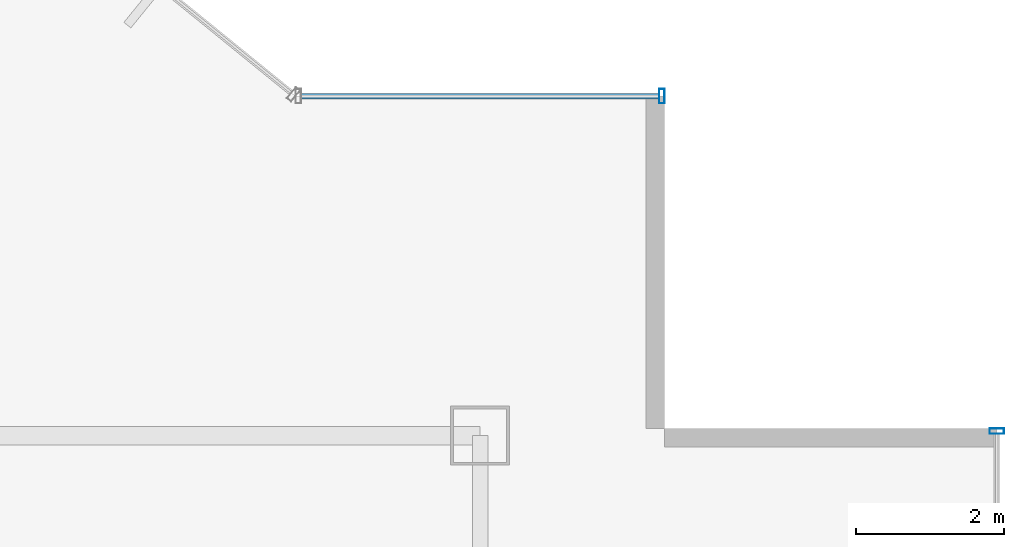
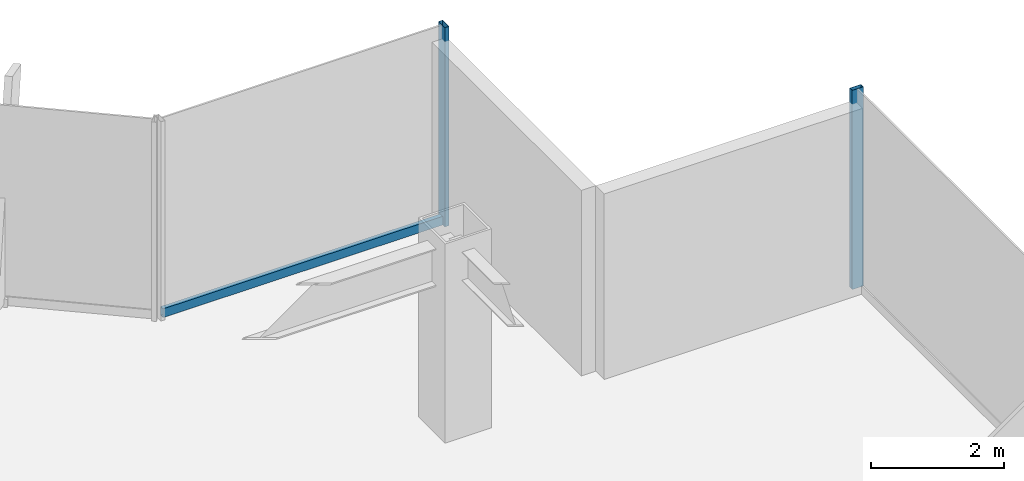
# One storey, part 19 of 26: 3 members, 2 elements without a shape of their own.
"""IFC4 building model written with IfcOpenShell, lengths in metres."""

from ifc_helpers import new_model, si_unit, derived_unit, direction, frame, origin, origin_2d, place, context, subcontext, project, spatial, hollow_rectangle, extrude, source, transform, mapped, material, material_profile, profile_set, type_object, element, aggregate, save


model = new_model("IFC4")

# Units and contexts
model_context = context("Model", 3, precision=1e-05, world=origin(), true_north=direction((0.0, 1.0)))
body_context = subcontext(model_context, "Body", "Model", "MODEL_VIEW")
ifc_project = project(units=[si_unit("LENGTHUNIT", "METRE"), si_unit("AREAUNIT", "SQUARE_METRE"), si_unit("VOLUMEUNIT", "CUBIC_METRE"), si_unit("PLANEANGLEUNIT", "RADIAN"), si_unit("MASSUNIT", "GRAM", prefix="KILO"), derived_unit("THERMALTRANSMITTANCEUNIT", [(si_unit("POWERUNIT", "WATT"), 1), (si_unit("LENGTHUNIT", "METRE"), -2), (si_unit("THERMODYNAMICTEMPERATUREUNIT", "KELVIN"), -1)])], contexts=[model_context])

# Site, building, storey
site_placement = place(None, origin())
site = spatial("IfcSite", under=ifc_project, at=site_placement, CompositionType="ELEMENT")
building_placement = place(site_placement, origin())
building = spatial("IfcBuilding", under=site, at=building_placement, Name="Skarnbrae Concourse Arena and Tower", CompositionType="ELEMENT")
storey_placement = place(building_placement, frame((0.0, 0.0, 128.800048828125)))
storey = spatial("IfcBuildingStorey", under=building, at=storey_placement, Name="L32", CompositionType="ELEMENT", Elevation=128.800048828125)

# Curtain wall, member
ifc_material = material(Name="Bronze anodised aluminium 6063-T6", Category="aluminium")
curtain_wall_type = type_object("IfcCurtainWallType", Name="CW-SYS-04-MIDZONE", PredefinedType="USERDEFINED", material=ifc_material)
curtain_wall_1_placement = place(storey_placement, origin())
curtain_wall_1 = element("IfcCurtainWall", 1, at=curtain_wall_1_placement, inside=storey, type_object=curtain_wall_type, Name="L32 Unitised curtain wall CW-L32-E07", ObjectType="UNITISED CURTAIN WALL", PredefinedType="USERDEFINED")
ifc_material_profile_1 = material_profile(ifc_material, hollow_rectangle(XDim=0.074951171875, YDim=0.159912109375, WallThickness=0.00439453125, at=origin_2d()), Name="ALU-TRAN-75X160")
ifc_profile_set_1 = profile_set([ifc_material_profile_1], Name="Bronze anodised aluminium 6063-T6")
member_type_1 = type_object("IfcMemberType", Name="CWT-CW-04", PredefinedType="USERDEFINED", material=ifc_profile_set_1)
shared_shape_1 = source(origin(), body_context, "Body", "SweptSolid", [
    extrude(hollow_rectangle(XDim=0.074951171875, YDim=0.159912109375, WallThickness=0.00439453125, at=origin_2d()), origin(), (0.0, 0.0, 1.0), 4.85009765625),
])
member_1_placement = place(storey_placement, frame((51.425048828125, 39.0, 0.079833984375), z_axis=(-1.0, 0.0, 0.0), x_axis=(0.0, -1.0, 0.0)))
member_1 = element("IfcMember", 2, at=member_1_placement, type_object=member_type_1, Name="CW-L32-E07 Transom 1", ObjectType="TRANSOM", PredefinedType="USERDEFINED", context=body_context, shape_type="MappedRepresentation", body=[
    mapped(shared_shape_1, transform((0.0, 0.0, 0.0))),
])

curtain_wall_2_placement = place(storey_placement, origin())
curtain_wall_2 = element("IfcCurtainWall", 3, at=curtain_wall_2_placement, inside=storey, type_object=curtain_wall_type, Name="L32 Unitised curtain wall CW-L32-E04", ObjectType="UNITISED CURTAIN WALL", PredefinedType="USERDEFINED")
ifc_material_profile_2 = material_profile(ifc_material, hollow_rectangle(XDim=0.074951171875, YDim=0.195068359375, WallThickness=0.00439453125, at=origin_2d()), Name="ALU-MULL-75X195")
ifc_profile_set_2 = profile_set([ifc_material_profile_2], Name="Bronze anodised aluminium 6063-T6")
member_type_2 = type_object("IfcMemberType", Name="CWM-CW-04", PredefinedType="MULLION", material=ifc_profile_set_2)
shared_shape_2 = source(origin(), body_context, "Body", "SweptSolid", [
    extrude(hollow_rectangle(XDim=0.074951171875, YDim=0.195068359375, WallThickness=0.00439453125, at=origin_2d()), origin(), (0.0, 0.0, 1.0), 3.64990234375),
])
member_2_placement = place(storey_placement, frame((56.0, 34.46240234375, 0.0), z_axis=(0.0, 0.0, 1.0), x_axis=(0.0, 1.0, 0.0)))
member_2 = element("IfcMember", 4, at=member_2_placement, type_object=member_type_2, Name="CW-L32-E04 Mullion 5", PredefinedType="MULLION", context=body_context, shape_type="MappedRepresentation", body=[
    mapped(shared_shape_2, transform((0.0, 0.0, 0.0))),
])
aggregate(curtain_wall_2, [member_2])

# Member
member_3_placement = place(storey_placement, frame((51.46240234375, 39.0, 0.0), z_axis=(0.0, 0.0, 1.0), x_axis=(-1.0, 0.0, 0.0)))
member_3 = element("IfcMember", 5, at=member_3_placement, type_object=member_type_2, Name="CW-L32-E07 Mullion 1", PredefinedType="MULLION", context=body_context, shape_type="MappedRepresentation", body=[
    mapped(shared_shape_2, transform((0.0, 0.0, 0.0))),
])

aggregate(curtain_wall_1, [member_3, member_1])

save(model, "model.ifc")
